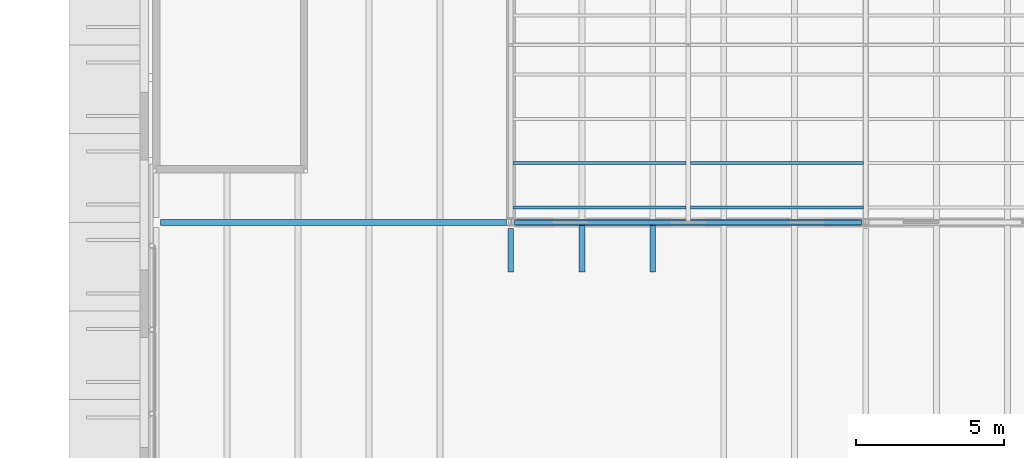
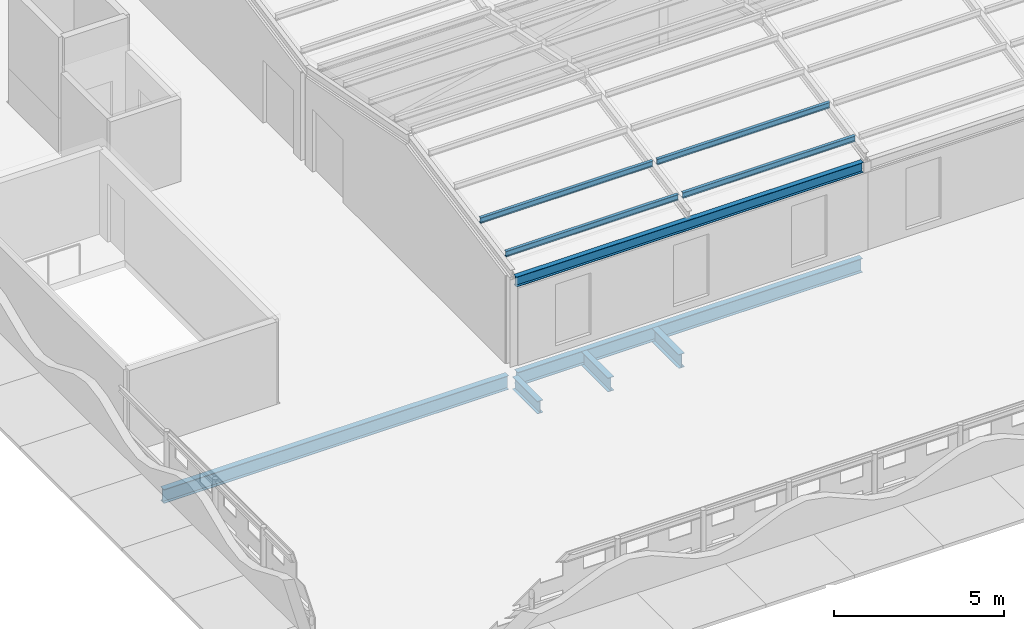
# One storey, part 24 of 91: 6 beams, 4 members.
"""IFC4 building model written with IfcOpenShell, lengths in metres."""

from ifc_helpers import new_model, si_unit, direction, frame, origin, origin_2d, place, context, subcontext, project, spatial, i_section, extrude, material, material_profile, profile_set, type_object, element, save


model = new_model("IFC4")

# Units and contexts
model_context = context("Model", 3, precision=1e-05, world=origin(), true_north=direction((0.0, 1.0)))
body_context = subcontext(model_context, "Body", "Model", "MODEL_VIEW")
ifc_project = project(units=[si_unit("LENGTHUNIT", "METRE"), si_unit("AREAUNIT", "SQUARE_METRE"), si_unit("VOLUMEUNIT", "CUBIC_METRE"), si_unit("PLANEANGLEUNIT", "RADIAN"), si_unit("MASSUNIT", "GRAM", prefix="KILO")], contexts=[model_context])

# Site, building, storey
site_placement = place(None, origin())
site = spatial("IfcSite", under=ifc_project, at=site_placement, CompositionType="ELEMENT")
building_placement = place(site_placement, origin())
building = spatial("IfcBuilding", under=site, at=building_placement, Name="Ravi Spectrum Wholesale Market", CompositionType="ELEMENT")
storey_placement = place(building_placement, frame((0.0, 0.0, 16.199951171875)))
storey = spatial("IfcBuildingStorey", under=building, at=storey_placement, Name="ROOF PLANT LEVEL", CompositionType="ELEMENT", Elevation=16.199951171875)

# Members
ifc_material_1 = material(Name="Steel S355", Category="steel")
ifc_material_profile_1 = material_profile(ifc_material_1, i_section(OverallWidth=0.10009765625, OverallDepth=0.199951171875, WebThickness=0.005615234375, FlangeThickness=0.008544921875, at=origin_2d()))
ifc_profile_set_1 = profile_set([ifc_material_profile_1], Name="Steel S355")
member_type = type_object("IfcMemberType", Name="IPE 200 purlin", PredefinedType="PURLIN", material=ifc_profile_set_1)
for number, where, z_axis, x_axis, name in (
    (1, (210.074951171875, 30.5, 3.684814453125), (1.0, 0.0, 0.0), (0.0, 1.0, 0.0), "CS-MB-ROOF-357"),
    (2, (210.074951171875, 32.0, 3.976318359375), (1.0, 0.0, 0.0), (0.0, 1.0, 0.0), "CS-MB-ROOF-358"),
    (3, (216.074951171875, 30.5, 3.684814453125), (1.0, 0.0, 0.0), (0.0, 1.0, 0.0), "CS-MB-ROOF-375"),
    (4, (216.074951171875, 32.0, 3.976318359375), (1.0, 0.0, 0.0), (0.0, 1.0, 0.0), "CS-MB-ROOF-376"),
):
    element("IfcMember", number, at=place(storey_placement, frame(where, z_axis=z_axis, x_axis=x_axis)), inside=storey, type_object=member_type, Name=name, PredefinedType="PURLIN", context=body_context, shape_type="SweptSolid", body=[
        extrude(i_section(OverallWidth=0.10009765625, OverallDepth=0.199951171875, WebThickness=0.005615234375, FlangeThickness=0.008544921875, at=origin_2d()), origin(), (0.0, 0.0, 1.0), 5.85009765625),
    ])

# Beams
ifc_material_2 = material(Name="Steel S355", Category="steel")
ifc_material_profile_2 = material_profile(ifc_material_2, i_section(OverallWidth=0.169921875, OverallDepth=0.360107421875, WebThickness=0.008056640625, FlangeThickness=0.0126953125, at=origin_2d()))
ifc_profile_set_2 = profile_set([ifc_material_profile_2], Name="Steel S355")
beam_type_1 = type_object("IfcBeamType", Name="IPE 360 beam", PredefinedType="BEAM", material=ifc_profile_set_2)
beam_1_placement = place(storey_placement, frame((210.1201171875, 30.0, 2.9921875), z_axis=(1.0, 0.0, 0.0), x_axis=(0.0, 1.0, 0.0)))
element("IfcBeam", 5, at=beam_1_placement, inside=storey, type_object=beam_type_1, Name="CS-BM-ROOF-181", PredefinedType="BEAM", context=body_context, shape_type="SweptSolid", body=[
    extrude(i_section(OverallWidth=0.169921875, OverallDepth=0.360107421875, WebThickness=0.008056640625, FlangeThickness=0.0126953125, at=origin_2d()), origin(), (0.0, 0.0, 1.0), 11.759765625),
])
ifc_material_3 = material(Name="Steel S355", Category="steel")
ifc_material_profile_3 = material_profile(ifc_material_3, i_section(OverallWidth=0.18994140625, OverallDepth=0.449951171875, WebThickness=0.009521484375, FlangeThickness=0.0146484375, at=origin_2d()))
ifc_profile_set_3 = profile_set([ifc_material_profile_3], Name="Steel S355")
beam_type_2 = type_object("IfcBeamType", Name="IPE 450 girder", PredefinedType="BEAM", material=ifc_profile_set_3)
beam_2_placement = place(storey_placement, frame((210.0, 28.324951171875, -0.474853515625), z_axis=(0.0, 1.0, 0.0), x_axis=(-1.0, 0.0, 0.0)))
element("IfcBeam", 6, at=beam_2_placement, inside=storey, type_object=beam_type_2, Name="CS-BM-ROOF-040", PredefinedType="BEAM", context=body_context, shape_type="SweptSolid", body=[
    extrude(i_section(OverallWidth=0.18994140625, OverallDepth=0.449951171875, WebThickness=0.009521484375, FlangeThickness=0.0146484375, at=origin_2d()), origin(), (0.0, 0.0, 1.0), 1.47509765625),
])
ifc_material_4 = material(Name="Steel S355", Category="steel")
ifc_material_profile_4 = material_profile(ifc_material_4, i_section(OverallWidth=0.199951171875, OverallDepth=0.5, WebThickness=0.01025390625, FlangeThickness=0.01611328125, at=origin_2d()))
ifc_profile_set_4 = profile_set([ifc_material_profile_4], Name="Steel S355")
beam_type_3 = type_object("IfcBeamType", Name="IPE 500 beam", PredefinedType="BEAM", material=ifc_profile_set_4)
for number, where, z_axis, x_axis, name in (
    (7, (198.14990234375, 30.0, -0.5), (1.0, 0.0, 0.0), (0.0, 1.0, 0.0), "CS-BM-ROOF-008"),
    (8, (210.14990234375, 30.0, -0.5), (1.0, 0.0, 0.0), (0.0, 1.0, 0.0), "CS-BM-ROOF-009"),
):
    element("IfcBeam", number, at=place(storey_placement, frame(where, z_axis=z_axis, x_axis=x_axis)), inside=storey, type_object=beam_type_3, Name=name, PredefinedType="BEAM", context=body_context, shape_type="SweptSolid", body=[
        extrude(i_section(OverallWidth=0.199951171875, OverallDepth=0.5, WebThickness=0.01025390625, FlangeThickness=0.01611328125, at=origin_2d()), origin(), (0.0, 0.0, 1.0), 11.7001953125),
    ])
for number, where, z_axis, x_axis, name in (
    (9, (212.39990234375, 28.324951171875, -0.5), (0.0, 1.0, 0.0), (-1.0, 0.0, 0.0), "CS-BM-ROOF-086"),
    (10, (214.800048828125, 28.324951171875, -0.5), (0.0, 1.0, 0.0), (-1.0, 0.0, 0.0), "CS-BM-ROOF-087"),
):
    element("IfcBeam", number, at=place(storey_placement, frame(where, z_axis=z_axis, x_axis=x_axis)), inside=storey, type_object=beam_type_3, Name=name, PredefinedType="BEAM", context=body_context, shape_type="SweptSolid", body=[
        extrude(i_section(OverallWidth=0.199951171875, OverallDepth=0.5, WebThickness=0.01025390625, FlangeThickness=0.01611328125, at=origin_2d()), origin(), (0.0, 0.0, 1.0), 1.574951171875),
    ])

save(model, "model.ifc")
